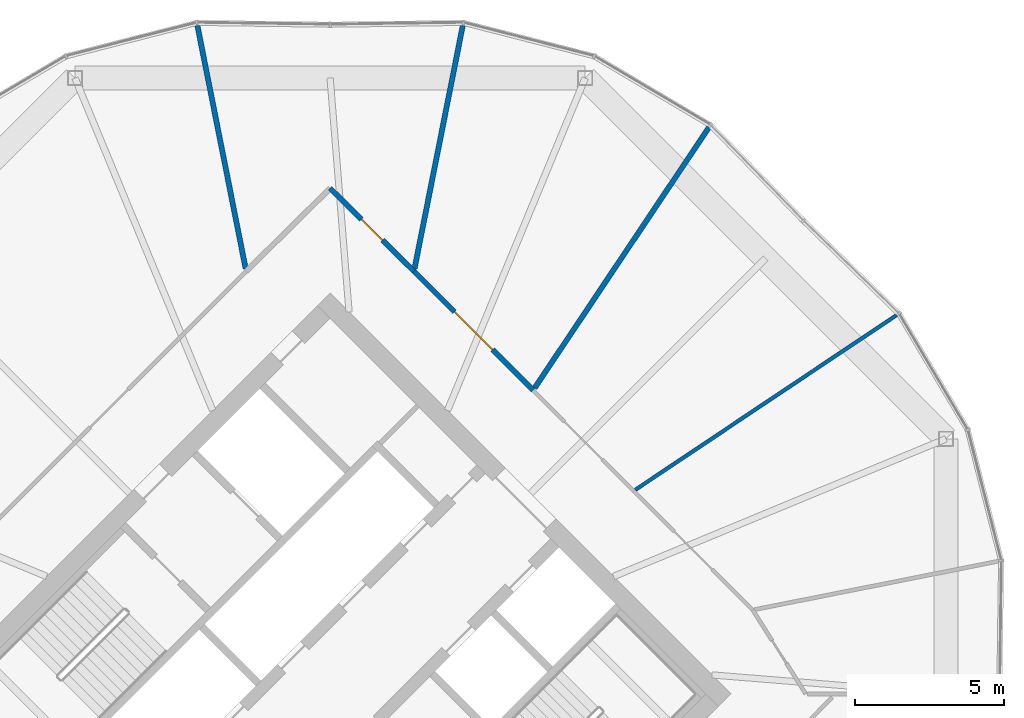
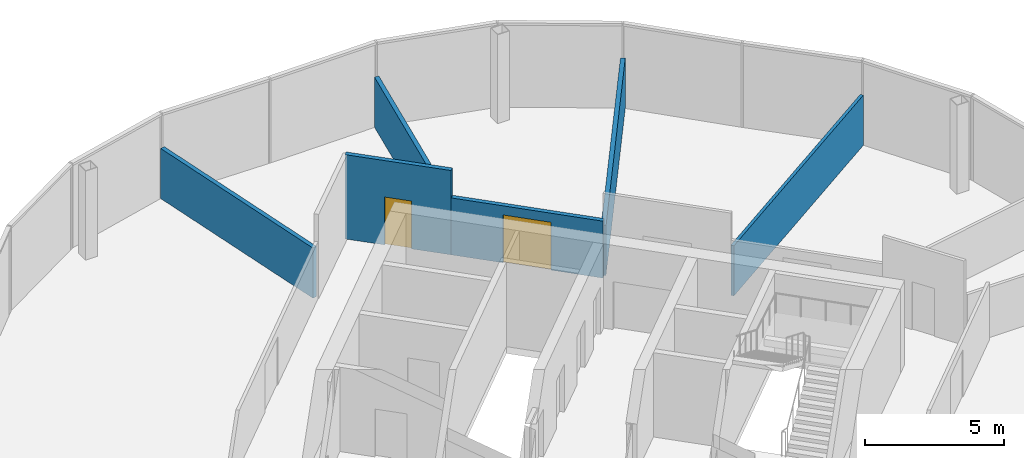
# One storey, part 24 of 26: 6 walls, 2 doors, 2 openings.
"""IFC4 building model written with IfcOpenShell, lengths in metres."""

import ifcopenshell
import ifcopenshell.guid

model = None  # the IFC model being written
_history = None  # IfcOwnerHistory: only IFC2X3 demands one
_inside = {}  # id of a spatial element -> (the spatial element, [elements in it])
_under = {}  # id of a project, library or spatial element -> (it, [spatial elements below it])
_declared = {}  # id of a project -> (the project, [libraries it declares])
_typed = {}  # id of a type object -> (the type object, [elements of that type])
_made_of = {}  # id of a material, layer set ... -> (it, [elements and type objects made of it])


def new_model(schema):
    """Start an empty IFC model of exactly this schema.

    Asked for "IFC4X3", IfcOpenShell would pick the latest addendum, in which some entities
    have other attributes; the version numbers below select the first issue.
    IFC2X3 requires an IfcOwnerHistory on every rooted entity: one is made here for all.
    """
    global model, _history
    if schema == "IFC4X3":
        model = ifcopenshell.file(schema_version=(4, 3, 0, 0))
    else:
        model = ifcopenshell.file(schema=schema)
    _inside.clear()
    _under.clear()
    _declared.clear()
    _typed.clear()
    _made_of.clear()
    _history = None
    if model.schema == "IFC2X3":
        org = make("IfcOrganization", Name="unknown")
        user = make(
            "IfcPersonAndOrganization",
            ThePerson=make("IfcPerson", FamilyName="unknown"),
            TheOrganization=org,
        )
        app = make(
            "IfcApplication",
            ApplicationDeveloper=org,
            Version="unknown",
            ApplicationFullName="unknown",
            ApplicationIdentifier="unknown",
        )
        _history = make(
            "IfcOwnerHistory",
            OwningUser=user,
            OwningApplication=app,
            ChangeAction="ADDED",
            CreationDate=0,
        )
    return model


def make(cls, **values):
    """One entity of the class cls with the attributes given. An attribute that is None is left unset."""
    return model.create_entity(
        cls, **{name: value for name, value in values.items() if value is not None}
    )


def rooted(cls, **values):
    """An entity with a GlobalId (a new one), such as an element, a storey or a relation."""
    return make(cls, GlobalId=ifcopenshell.guid.new(), OwnerHistory=_history, **values)


def si_unit(unit_type, name, prefix=None):
    """IfcSIUnit, for example si_unit("LENGTHUNIT", "METRE", prefix="MILLI")."""
    return make("IfcSIUnit", UnitType=unit_type, Prefix=prefix, Name=name)


def assignment(units):
    """IfcUnitAssignment: the units of a project."""
    return None if units is None else make("IfcUnitAssignment", Units=units)


def point(xyz):
    """IfcCartesianPoint."""
    return None if xyz is None else make("IfcCartesianPoint", Coordinates=xyz)


def direction(xyz):
    """IfcDirection."""
    return None if xyz is None else make("IfcDirection", DirectionRatios=xyz)


def frame(location, z_axis=None, x_axis=None):
    """IfcAxis2Placement3D, a coordinate frame: its origin and axes. An axis left out is left unset."""
    return make(
        "IfcAxis2Placement3D",
        Location=point(location),
        Axis=direction(z_axis),
        RefDirection=direction(x_axis),
    )


def frame_2d(location, x_axis=None):
    """IfcAxis2Placement2D, a coordinate frame in the plane: its origin and x axis."""
    return make(
        "IfcAxis2Placement2D", Location=point(location), RefDirection=direction(x_axis)
    )


def origin():
    """The frame at (0, 0, 0) with its axes left unset."""
    return frame((0.0, 0.0, 0.0))


def place(relative_to, where):
    """IfcLocalPlacement: puts the frame where relative to a parent placement (None: the world)."""
    return make(
        "IfcLocalPlacement", PlacementRelTo=relative_to, RelativePlacement=where
    )


def context(
    kind, dimensions, precision=None, world=None, true_north=None, identifier=None
):
    """IfcGeometricRepresentationContext, for example the 3D "Model" context."""
    return make(
        "IfcGeometricRepresentationContext",
        ContextIdentifier=identifier,
        ContextType=kind,
        CoordinateSpaceDimension=dimensions,
        Precision=precision,
        WorldCoordinateSystem=world,
        TrueNorth=true_north,
    )


def subcontext(parent, identifier, kind, view, scale=None):
    """IfcGeometricRepresentationSubContext, for example "Body" below "Model"."""
    return make(
        "IfcGeometricRepresentationSubContext",
        ContextIdentifier=identifier,
        ContextType=kind,
        ParentContext=parent,
        TargetScale=scale,
        TargetView=view,
    )


def project(units=None, contexts=None):
    """IfcProject with its units and contexts."""
    return rooted(
        "IfcProject",
        Name="project",
        RepresentationContexts=contexts,
        UnitsInContext=assignment(units),
    )


def spatial(cls, under=None, at=None, **own):
    """A site, building, storey or space (cls), placed at a placement, below another one or the project."""
    s = rooted(cls, ObjectPlacement=at, **own)
    if under is not None:
        _under.setdefault(under.id(), (under, []))[1].append(s)
    return s


def profile(cls, at=None, kind="AREA", **sizes):
    """A parametric profile (cls). Its sizes go by their IFC names, for example OverallWidth=200.0."""
    return make(cls, ProfileType=kind, Position=at, **sizes)


def rectangle(**sizes):
    """IfcRectangleProfileDef."""
    return profile("IfcRectangleProfileDef", **sizes)


def extrude(swept, where, along, depth):
    """IfcExtrudedAreaSolid: the profile swept, set in the frame where, extruded along a direction by depth."""
    return make(
        "IfcExtrudedAreaSolid",
        SweptArea=swept,
        Position=where,
        ExtrudedDirection=direction(along),
        Depth=depth,
    )


def shape(context_of_items, identifier, shape_type, items):
    """IfcShapeRepresentation: the items that make up one representation, for example the "Body"."""
    return make(
        "IfcShapeRepresentation",
        ContextOfItems=context_of_items,
        RepresentationIdentifier=identifier,
        RepresentationType=shape_type,
        Items=items,
    )


def material(Name=None, Category=None):
    """IfcMaterial."""
    return make("IfcMaterial", Name=Name, Category=Category)


def layer(
    of_material, thickness, ventilated=None, Name=None, Category=None, Priority=None
):
    """IfcMaterialLayer: one layer of a wall or slab, of a material (None: an air gap)."""
    return make(
        "IfcMaterialLayer",
        Material=of_material,
        LayerThickness=thickness,
        IsVentilated=ventilated,
        Name=Name,
        Category=Category,
        Priority=Priority,
    )


def layer_set(layers, Name=None):
    """IfcMaterialLayerSet."""
    return make("IfcMaterialLayerSet", MaterialLayers=layers, LayerSetName=Name)


def made_of(thing, what):
    """Note that an element or type object is made of a material, layer set ...; save() writes the relation."""
    if what is not None:
        _made_of.setdefault(what.id(), (what, []))[1].append(thing)
    return thing


def type_object(cls, material=None, **own):
    """A type object (cls), such as IfcWallType, which elements share."""
    return made_of(rooted(cls, **own), material)


def element(
    cls,
    number,
    at=None,
    inside=None,
    cuts=None,
    type_object=None,
    material=None,
    context=None,
    identifier="Body",
    shape_type=None,
    held_by="IfcProductDefinitionShape",
    body=None,
    shapes=None,
    **own,
):
    """One element of the class cls, such as IfcWall. Its Tag is "e" and its number.

    at: its placement. inside: the storey or other place that contains it. cuts: it is an
    opening in that element (IfcRelVoidsElement). A single representation is given by context,
    identifier, shape_type and body (its items); several are given by shapes. held_by: the class
    of the entity that holds the representations. save() writes the other relations.
    """
    e = rooted(cls, Tag="e%d" % number, ObjectPlacement=at, **own)
    if body is not None:
        shapes = [shape(context, identifier, shape_type, body)]
    if shapes is not None:
        e.Representation = make(held_by, Representations=shapes)
    if inside is not None:
        _inside.setdefault(inside.id(), (inside, []))[1].append(e)
    if cuts is not None:
        rooted(
            "IfcRelVoidsElement", RelatingBuildingElement=cuts, RelatedOpeningElement=e
        )
    if type_object is not None:
        _typed.setdefault(type_object.id(), (type_object, []))[1].append(e)
    return made_of(e, material)


def fill(opening, filler):
    """IfcRelFillsElement: the door or window that sits in an opening."""
    return rooted(
        "IfcRelFillsElement",
        RelatingOpeningElement=opening,
        RelatedBuildingElement=filler,
    )


def aggregate(whole, parts):
    """IfcRelAggregates: a whole, such as a stair, and the parts it consists of."""
    return rooted("IfcRelAggregates", RelatingObject=whole, RelatedObjects=parts)


def save(model, path):
    """Write the relations noted so far, then the file.

    IfcRelAggregates (storeys below a building ...), IfcRelContainedInSpatialStructure (elements
    in a storey), IfcRelDefinesByType, IfcRelAssociatesMaterial and IfcRelDeclares: one each for
    every whole, place, type object, material and project.
    """
    for whole, parts in _under.values():
        aggregate(whole, parts)
    for where, things in _inside.values():
        rooted(
            "IfcRelContainedInSpatialStructure",
            RelatedElements=things,
            RelatingStructure=where,
        )
    for kind, things in _typed.values():
        rooted("IfcRelDefinesByType", RelatedObjects=things, RelatingType=kind)
    for what, things in _made_of.values():
        rooted("IfcRelAssociatesMaterial", RelatedObjects=things, RelatingMaterial=what)
    for by, libraries in _declared.values():
        rooted("IfcRelDeclares", RelatingContext=by, RelatedDefinitions=libraries)
    model.write(path)


model = new_model("IFC4")

# Units and contexts
model_context = context("Model", 3, precision=1e-05, world=origin(), true_north=direction((0.0, 1.0)))
body_context = subcontext(model_context, "Body", "Model", "MODEL_VIEW")
ifc_project = project(units=[si_unit("LENGTHUNIT", "METRE"), si_unit("AREAUNIT", "SQUARE_METRE"), si_unit("VOLUMEUNIT", "CUBIC_METRE"), si_unit("PLANEANGLEUNIT", "RADIAN"), si_unit("MASSUNIT", "GRAM", prefix="KILO")], contexts=[model_context])

# Site, building, storey
site_placement = place(None, origin())
site = spatial("IfcSite", under=ifc_project, at=site_placement, CompositionType="ELEMENT")
building_placement = place(site_placement, origin())
building = spatial("IfcBuilding", under=site, at=building_placement, Name="Ogive Gate Towers", CompositionType="ELEMENT")
storey_placement = place(building_placement, frame((0.0, 0.0, 156.800048828125)))
storey = spatial("IfcBuildingStorey", under=building, at=storey_placement, Name="L37", CompositionType="ELEMENT", Elevation=156.800048828125)

# Walls
ifc_material_1 = material(Name="Gypsum board acoustic partition")
ifc_layer_1 = layer(ifc_material_1, 0.175048828125)
ifc_layer_set_1 = layer_set([ifc_layer_1], Name="Acoustic partition 175")
wall_type_1 = type_object("IfcWallType", Name="Acoustic partition 175", PredefinedType="PARTITIONING", material=ifc_layer_set_1)
wall_1_placement = place(storey_placement, frame((48.695556640625, 18.986083984375, 0.0), z_axis=(0.0, 0.0, 1.0), x_axis=(-0.555862730178, -0.831274097515, 0.0)))
element("IfcWall", 1, at=wall_1_placement, inside=storey, type_object=wall_type_1, Name="Partition T2-L37-004", PredefinedType="PARTITIONING", context=body_context, shape_type="SweptSolid", body=[
    extrude(rectangle(XDim=10.51171875, YDim=0.175048828125, at=frame_2d((5.255859375, 0.0))), origin(), (0.0, 0.0, 1.0), 2.199951171875),
])
for number, where, z_axis, x_axis, name in (
    (2, (40.447998046875, 22.402099609375, 0.0), (0.0, 0.0, 1.0), (-0.19475453981, -0.980852011887, 0.0), "Partition T2-L37-005"),
    (3, (31.552001953125, 22.402099609375, 0.0), (0.0, 0.0, 1.0), (0.19475453981, -0.980852011887, 0.0), "Partition T2-L37-006"),
):
    element("IfcWall", number, at=place(storey_placement, frame(where, z_axis=z_axis, x_axis=x_axis)), inside=storey, type_object=wall_type_1, Name=name, PredefinedType="PARTITIONING", context=body_context, shape_type="SweptSolid", body=[
        extrude(rectangle(XDim=8.311279296875, YDim=0.175048828125, at=frame_2d((4.15576171875, 0.0))), origin(), (0.0, 0.0, 1.0), 2.199951171875),
    ])

# Wall, opening, door
wall_2_placement = place(storey_placement, frame((42.803955078125, 10.17529296875, 0.0), z_axis=(0.0, 0.0, 1.0), x_axis=(-0.707344700401, 0.706868781892, 0.0)))
wall_2 = element("IfcWall", 4, at=wall_2_placement, inside=storey, type_object=wall_type_1, Name="Partition T2-L37-020", PredefinedType="PARTITIONING", context=body_context, shape_type="SweptSolid", body=[
    extrude(rectangle(XDim=5.642822265625, YDim=0.175048828125, at=frame_2d((2.8212890625, 0.0))), origin(), (0.0, 0.0, 1.0), 2.5),
])
opening_1_placement = place(wall_2_placement, frame((1.9208984375, 0.0, 0.0)))
opening_1 = element("IfcOpeningElement", 5, at=opening_1_placement, cuts=wall_2, Name="Opening T2-L37-D08", PredefinedType="OPENING", context=body_context, shape_type="SweptSolid", body=[
    extrude(rectangle(XDim=1.800048828125, YDim=2.10009765625, at=frame_2d((0.89990234375, 1.050048828125))), frame((0.0, 0.09765625, 0.0), z_axis=(0.0, -1.0, 0.0), x_axis=(1.0, 0.0, 0.0)), (0.0, 0.0, 1.0), 0.195068359375),
])
ifc_material_2 = material(Name="Timber door", Category="wood")
door_type_1 = type_object("IfcDoorType", Name="Door pair 1800", OperationType="NOTDEFINED", PredefinedType="DOOR", material=ifc_material_2)
door_1_placement = place(opening_1_placement, origin())
door_1 = element("IfcDoor", 6, at=door_1_placement, inside=storey, type_object=door_type_1, Name="Door T2-L37-D08", OperationType="DOUBLE_DOOR_DOUBLE_SWING", OverallHeight=2.10009765625, OverallWidth=1.800048828125, PredefinedType="DOOR", context=body_context, shape_type="SweptSolid", body=[
    extrude(rectangle(XDim=1.800048828125, YDim=2.10009765625, at=frame_2d((0.89990234375, 1.050048828125))), frame((0.0, 0.02490234375, 0.0), z_axis=(0.0, -1.0, 0.0), x_axis=(1.0, 0.0, 0.0)), (0.0, 0.0, 1.0), 0.050048828125),
])
fill(opening_1, door_1)

wall_3_placement = place(storey_placement, frame((38.8125, 14.1640625, 0.0), z_axis=(0.0, 0.0, 1.0), x_axis=(-0.71141641015, 0.70277072461, 0.0)))
wall_3 = element("IfcWall", 7, at=wall_3_placement, inside=storey, type_object=wall_type_1, Name="Partition T2-L37-021", PredefinedType="PARTITIONING", context=body_context, shape_type="SweptSolid", body=[
    extrude(rectangle(XDim=3.953369140625, YDim=0.175048828125, at=frame_2d((1.9765625, 0.0))), origin(), (0.0, 0.0, 1.0), 3.699951171875),
])
opening_2_placement = place(wall_3_placement, frame((1.47705078125, 0.0, 0.0)))
opening_2 = element("IfcOpeningElement", 8, at=opening_2_placement, cuts=wall_3, Name="Opening T2-L37-D09", PredefinedType="OPENING", context=body_context, shape_type="SweptSolid", body=[
    extrude(rectangle(XDim=1.0, YDim=2.10009765625, at=frame_2d((0.5, 1.050048828125))), frame((0.0, 0.09765625, 0.0), z_axis=(0.0, -1.0, 0.0), x_axis=(1.0, 0.0, 0.0)), (0.0, 0.0, 1.0), 0.195068359375),
])
door_type_2 = type_object("IfcDoorType", Name="Door 1000", OperationType="NOTDEFINED", PredefinedType="DOOR", material=ifc_material_2)
door_2_placement = place(opening_2_placement, origin())
door_2 = element("IfcDoor", 9, at=door_2_placement, inside=storey, type_object=door_type_2, Name="Door T2-L37-D09", OperationType="SINGLE_SWING_RIGHT", OverallHeight=2.10009765625, OverallWidth=1.0, PredefinedType="DOOR", context=body_context, shape_type="SweptSolid", body=[
    extrude(rectangle(XDim=1.0, YDim=2.10009765625, at=frame_2d((0.5, 1.050048828125))), frame((0.0, 0.02490234375, 0.0), z_axis=(0.0, -1.0, 0.0), x_axis=(1.0, 0.0, 0.0)), (0.0, 0.0, 1.0), 0.050048828125),
])
fill(opening_2, door_2)

# Wall
ifc_material_3 = material(Name="Gypsum board partition")
ifc_layer_2 = layer(ifc_material_3, 0.125)
ifc_layer_set_2 = layer_set([ifc_layer_2], Name="Partition 125")
wall_type_2 = type_object("IfcWallType", Name="Partition 125", PredefinedType="PARTITIONING", material=ifc_layer_set_2)
wall_4_placement = place(storey_placement, frame((54.986083984375, 12.695556640625, 0.0), z_axis=(0.0, 0.0, 1.0), x_axis=(-0.831272367872, -0.555865316792, 0.0)))
element("IfcWall", 10, at=wall_4_placement, inside=storey, type_object=wall_type_2, Name="Partition T2-L37-003", PredefinedType="PARTITIONING", context=body_context, shape_type="SweptSolid", body=[
    extrude(rectangle(XDim=10.53662109375, YDim=0.125, at=frame_2d((5.268310546875, 0.0))), origin(), (0.0, 0.0, 1.0), 2.199951171875),
])

save(model, "model.ifc")
